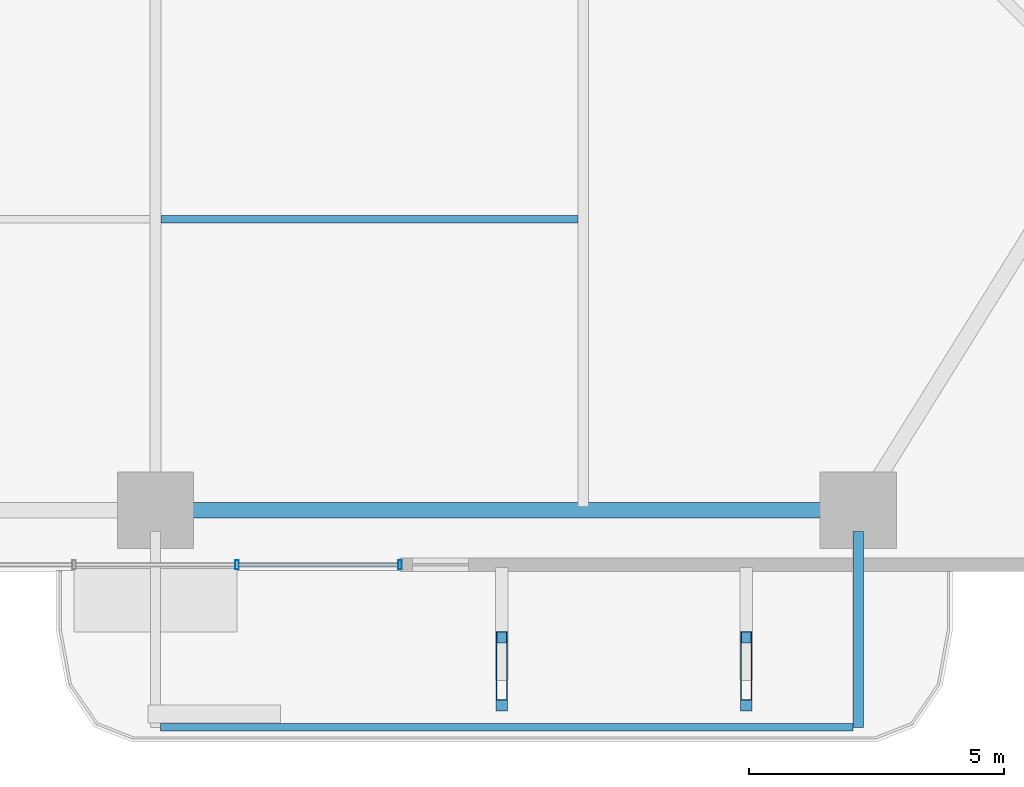
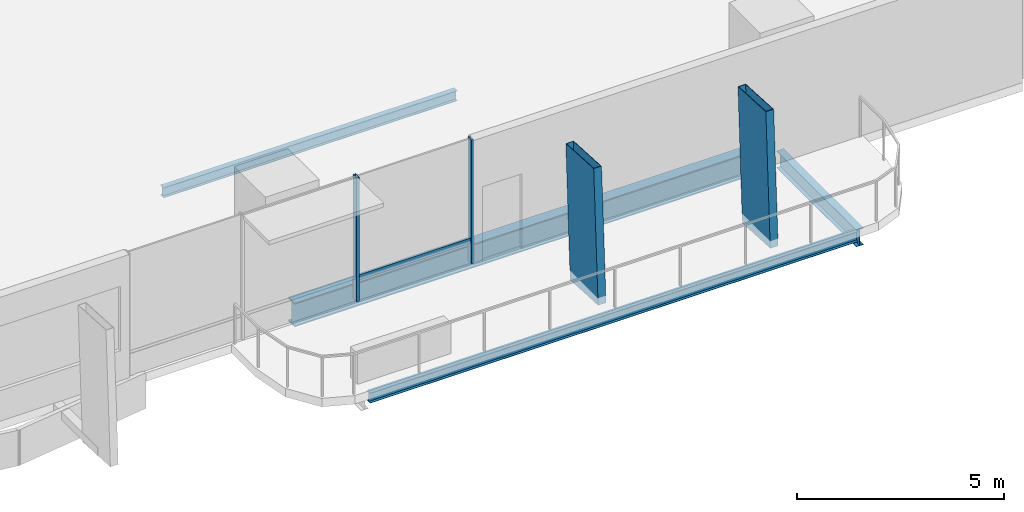
# One storey, part 6 of 23: 5 members, 4 beams, 1 element without a shape of its own.
"""IFC4 building model written with IfcOpenShell, lengths in metres."""

from ifc_helpers import new_model, si_unit, direction, frame, origin, origin_2d, place, context, subcontext, project, spatial, hollow_rectangle, i_section, extrude, material, layer, layer_set, material_profile, profile_set, type_object, element, aggregate, save


model = new_model("IFC4")

# Units and contexts
model_context = context("Model", 3, precision=1e-05, world=origin(), true_north=direction((0.0, 1.0)))
body_context = subcontext(model_context, "Body", "Model", "MODEL_VIEW")
ifc_project = project(units=[si_unit("LENGTHUNIT", "METRE"), si_unit("AREAUNIT", "SQUARE_METRE"), si_unit("VOLUMEUNIT", "CUBIC_METRE"), si_unit("PLANEANGLEUNIT", "RADIAN"), si_unit("MASSUNIT", "GRAM", prefix="KILO")], contexts=[model_context])

# Site, building, storey
site_placement = place(None, origin())
site = spatial("IfcSite", under=ifc_project, at=site_placement, CompositionType="ELEMENT")
building_placement = place(site_placement, origin())
building = spatial("IfcBuilding", under=site, at=building_placement, Name="Belovzor Exchange Tower", CompositionType="ELEMENT")
storey_placement = place(building_placement, frame((0.0, 0.0, 57.300048828125)))
storey = spatial("IfcBuildingStorey", under=building, at=storey_placement, Name="L13", CompositionType="ELEMENT", Elevation=57.300048828125)

# Members
ifc_material_1 = material(Name="Extruded Architectural Terracotta on Steel S355 Carrier", Category="masonry")
ifc_material_profile_1 = material_profile(ifc_material_1, hollow_rectangle(XDim=0.219970703125, YDim=1.35009765625, WallThickness=0.013916015625, at=origin_2d()))
ifc_profile_set_1 = profile_set([ifc_material_profile_1], Name="Extruded Architectural Terracotta on Steel S355 Carrier")
member_type_1 = type_object("IfcMemberType", Name="Base Arc Sweeping Terracotta Pylon Fin 1450", PredefinedType="USERDEFINED", material=ifc_profile_set_1)
for number, where, z_axis, x_axis, name in (
    (1, (35.60009765625, -1.1630859375, -0.25), (0.0, 0.05481915954, 0.998496299316), (-1.0, 0.0, 0.0), "FIN-TC145 Terracotta Facade Fin L13 S3"),
    (2, (40.39990234375, -1.1630859375, -0.25), (0.0, 0.05481915954, 0.998496299316), (-1.0, 0.0, 0.0), "FIN-TC145 Terracotta Facade Fin L13 S4"),
):
    element("IfcMember", number, at=place(storey_placement, frame(where, z_axis=z_axis, x_axis=x_axis)), inside=storey, type_object=member_type_1, Name=name, ObjectType="FIN", PredefinedType="USERDEFINED", context=body_context, shape_type="SweptSolid", body=[
        extrude(hollow_rectangle(XDim=0.219970703125, YDim=1.35009765625, WallThickness=0.013916015625, at=origin_2d()), origin(), (0.0, 0.0, 1.0), 3.90576171875),
    ])

# Beams
ifc_material_2 = material(Name="Steel S355", Category="steel")
ifc_material_profile_2 = material_profile(ifc_material_2, i_section(OverallWidth=0.199951171875, OverallDepth=0.5, WebThickness=0.01025390625, FlangeThickness=0.01611328125, at=origin_2d()))
ifc_profile_set_2 = profile_set([ifc_material_profile_2], Name="Steel S355")
beam_type_1 = type_object("IfcBeamType", Name="Planted Balcony Cantilever Beam IPE 500", PredefinedType="BEAM", material=ifc_profile_set_2)
beam_1_placement = place(storey_placement, frame((42.60009765625, 1.68798828125, -0.5), z_axis=(0.0, -1.0, 0.0), x_axis=(1.0, 0.0, 0.0)))
element("IfcBeam", 3, at=beam_1_placement, inside=storey, type_object=beam_type_1, Name="BC-500 Planted Balcony Cantilever Beam IPE 500", PredefinedType="BEAM", context=body_context, shape_type="SweptSolid", body=[
    extrude(i_section(OverallWidth=0.199951171875, OverallDepth=0.5, WebThickness=0.01025390625, FlangeThickness=0.01611328125, at=origin_2d()), origin(), (0.0, 0.0, 1.0), 3.85009765625),
])
ifc_material_3 = material(Name="Steel S355", Category="steel")
ifc_material_profile_3 = material_profile(ifc_material_3, i_section(OverallWidth=0.14990234375, OverallDepth=0.300048828125, WebThickness=0.007080078125, FlangeThickness=0.0107421875, at=origin_2d()))
ifc_profile_set_3 = profile_set([ifc_material_profile_3], Name="Steel S355")
beam_type_2 = type_object("IfcBeamType", Name="Planted Balcony Fascia Edge Beam IPE 300", PredefinedType="BEAM", material=ifc_profile_set_3)
beam_2_placement = place(storey_placement, frame((28.89990234375, -2.162109375, -0.400146484375), z_axis=(1.0, 0.0, 0.0), x_axis=(0.0, 1.0, 0.0)))
element("IfcBeam", 4, at=beam_2_placement, inside=storey, type_object=beam_type_2, Name="BC-300 Planted Balcony Fascia Edge Beam IPE 300", PredefinedType="BEAM", context=body_context, shape_type="SweptSolid", body=[
    extrude(i_section(OverallWidth=0.14990234375, OverallDepth=0.300048828125, WebThickness=0.007080078125, FlangeThickness=0.0107421875, at=origin_2d()), origin(), (0.0, 0.0, 1.0), 13.60009765625),
])
ifc_material_4 = material(Name="Steel S355", Category="steel")
ifc_material_profile_4 = material_profile(ifc_material_4, i_section(OverallWidth=0.14990234375, OverallDepth=0.300048828125, WebThickness=0.007080078125, FlangeThickness=0.0107421875, at=origin_2d()))
ifc_profile_set_4 = profile_set([ifc_material_profile_4], Name="Steel S355")
beam_type_3 = type_object("IfcBeamType", Name="Secondary Trim Floor Joist IPE 300", PredefinedType="BEAM", material=ifc_profile_set_4)
beam_3_placement = place(storey_placement, frame((28.905029296875, 7.81494140625, -0.400146484375), z_axis=(1.0, 0.0, 0.0), x_axis=(0.0, 1.0, 0.0)))
element("IfcBeam", 5, at=beam_3_placement, inside=storey, type_object=beam_type_3, Name="FJ-300 Secondary Trim Floor Joist IPE 300", PredefinedType="BEAM", context=body_context, shape_type="SweptSolid", body=[
    extrude(i_section(OverallWidth=0.14990234375, OverallDepth=0.300048828125, WebThickness=0.007080078125, FlangeThickness=0.0107421875, at=origin_2d()), origin(), (0.0, 0.0, 1.0), 8.18994140625),
])

# Curtain wall, members
ifc_material_5 = material(Name="Anodised Aluminium Framing", Category="aluminium")
ifc_layer = layer(ifc_material_5, 0.179931640625)
ifc_layer_set = layer_set([ifc_layer], Name="Anodised Aluminium Framing")
curtain_wall_type = type_object("IfcCurtainWallType", Name="Recessed Loggia Low-Iron Triple-Glazed Curtain Wall", PredefinedType="NOTDEFINED", material=ifc_layer_set)
curtain_wall_placement = place(storey_placement, origin())
curtain_wall = element("IfcCurtainWall", 6, at=curtain_wall_placement, inside=storey, type_object=curtain_wall_type, Name="CW3 Recessed Loggia Low-Iron Triple-Glazed Curtain Wall L13", PredefinedType="NOTDEFINED")
ifc_material_6 = material(Name="Steel S355", Category="steel")
ifc_material_profile_5 = material_profile(ifc_material_6, hollow_rectangle(XDim=0.074951171875, YDim=0.179931640625, WallThickness=0.0048828125, at=origin_2d()))
ifc_profile_set_5 = profile_set([ifc_material_profile_5], Name="Steel S355")
member_type_2 = type_object("IfcMemberType", Name="Thermally Broken Curtain Wall Mullion 180x75", PredefinedType="MULLION", material=ifc_profile_set_5)
member_1_placement = place(storey_placement, frame((33.60009765625, 1.030029296875, 0.0), z_axis=(0.0, 0.0, 1.0), x_axis=(-1.0, 0.0, 0.0)))
member_1 = element("IfcMember", 7, at=member_1_placement, type_object=member_type_2, Name="CW-M180 Curtain Wall Mullion 1", PredefinedType="MULLION", context=body_context, shape_type="SweptSolid", body=[
    extrude(hollow_rectangle(XDim=0.074951171875, YDim=0.179931640625, WallThickness=0.0048828125, at=origin_2d()), origin(), (0.0, 0.0, 1.0), 3.64990234375),
])
member_2_placement = place(storey_placement, frame((30.39990234375, 1.030029296875, 0.0), z_axis=(0.0, 0.0, 1.0), x_axis=(-1.0, 0.0, 0.0)))
member_2 = element("IfcMember", 8, at=member_2_placement, type_object=member_type_2, Name="CW-M180 Curtain Wall Mullion 2", PredefinedType="MULLION", context=body_context, shape_type="SweptSolid", body=[
    extrude(hollow_rectangle(XDim=0.074951171875, YDim=0.179931640625, WallThickness=0.0048828125, at=origin_2d()), origin(), (0.0, 0.0, 1.0), 3.64990234375),
])
ifc_material_7 = material(Name="Steel S355", Category="steel")
ifc_material_profile_6 = material_profile(ifc_material_7, hollow_rectangle(XDim=0.06005859375, YDim=0.14990234375, WallThickness=0.00390625, at=origin_2d()))
ifc_profile_set_6 = profile_set([ifc_material_profile_6], Name="Steel S355")
member_type_3 = type_object("IfcMemberType", Name="Thermally Broken Curtain Wall Transom 150x60", PredefinedType="USERDEFINED", material=ifc_profile_set_6)
member_3_placement = place(storey_placement, frame((33.592041015625, 1.030029296875, 0.64990234375), z_axis=(-1.0, 0.0, 0.0), x_axis=(0.0, -1.0, 0.0)))
member_3 = element("IfcMember", 9, at=member_3_placement, type_object=member_type_3, Name="CW-T150 Curtain Wall Transom 1", ObjectType="TRANSOM", PredefinedType="USERDEFINED", context=body_context, shape_type="SweptSolid", body=[
    extrude(hollow_rectangle(XDim=0.06005859375, YDim=0.14990234375, WallThickness=0.00390625, at=origin_2d()), origin(), (0.0, 0.0, 1.0), 3.18408203125),
])
aggregate(curtain_wall, [member_1, member_2, member_3])

# Beam
ifc_material_8 = material(Name="Steel S355", Category="steel")
ifc_material_profile_7 = material_profile(ifc_material_8, i_section(OverallWidth=0.300048828125, OverallDepth=0.699951171875, WebThickness=0.01708984375, FlangeThickness=0.031982421875, at=origin_2d()))
ifc_profile_set_7 = profile_set([ifc_material_profile_7], Name="Steel S355")
beam_type_4 = type_object("IfcBeamType", Name="Zone 1 Primary Perimeter Girder HEB 700", PredefinedType="BEAM", material=ifc_profile_set_7)
beam_4_placement = place(storey_placement, frame((29.212890625, 2.10009765625, -0.60009765625), z_axis=(1.0, 0.0, 0.0), x_axis=(0.0, 1.0, 0.0)))
element("IfcBeam", 10, at=beam_4_placement, inside=storey, type_object=beam_type_4, Name="FG-Z1 Zone 1 Primary Perimeter Girder HEB 700", PredefinedType="BEAM", context=body_context, shape_type="SweptSolid", body=[
    extrude(i_section(OverallWidth=0.300048828125, OverallDepth=0.699951171875, WebThickness=0.01708984375, FlangeThickness=0.031982421875, at=origin_2d()), origin(), (0.0, 0.0, 1.0), 12.97509765625),
])

save(model, "model.ifc")
